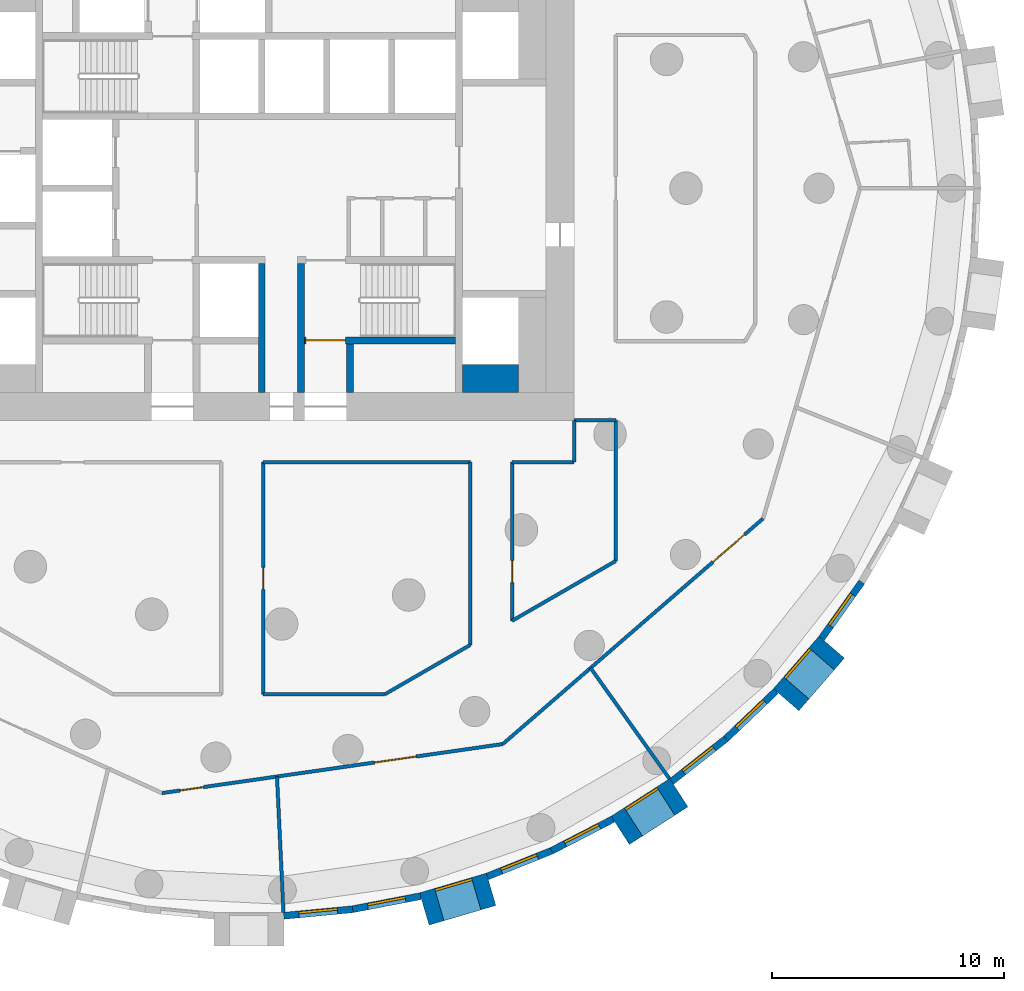
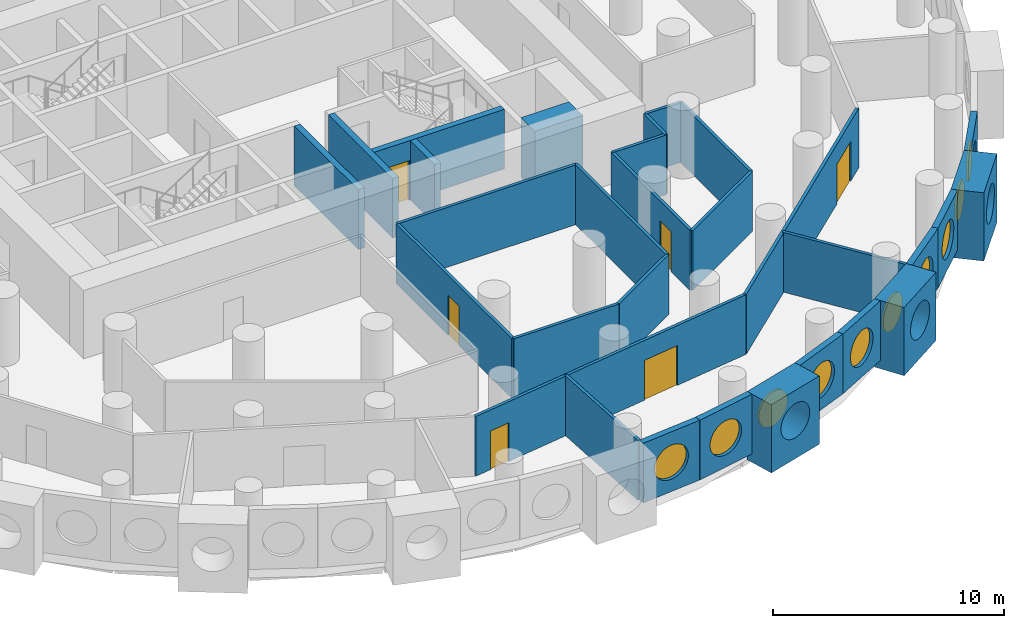
# One storey, part 5 of 12: 30 walls, 10 windows, 6 doors, 16 openings.
"""IFC4 building model written with IfcOpenShell, lengths in metres."""

from ifc_helpers import new_model, si_unit, direction, frame, frame_2d, origin, origin_2d, place, context, subcontext, project, spatial, rectangle, circle, extrude, material, layer, layer_set, type_object, element, fill, save


model = new_model("IFC4")

# Units and contexts
model_context = context("Model", 3, precision=1e-05, world=origin(), true_north=direction((0.0, 1.0)))
body_context = subcontext(model_context, "Body", "Model", "MODEL_VIEW")
ifc_project = project(units=[si_unit("LENGTHUNIT", "METRE"), si_unit("AREAUNIT", "SQUARE_METRE"), si_unit("VOLUMEUNIT", "CUBIC_METRE"), si_unit("PLANEANGLEUNIT", "RADIAN"), si_unit("MASSUNIT", "GRAM", prefix="KILO")], contexts=[model_context])

# Site, building, storey
site_placement = place(None, origin())
site = spatial("IfcSite", under=ifc_project, at=site_placement, CompositionType="ELEMENT")
building_placement = place(site_placement, origin())
building = spatial("IfcBuilding", under=site, at=building_placement, Name="Tracery Tower", CompositionType="ELEMENT")
storey_placement = place(building_placement, frame((0.0, 0.0, 107.39990234375)))
storey = spatial("IfcBuildingStorey", under=building, at=storey_placement, Name="L27", CompositionType="ELEMENT", Elevation=107.39990234375)

# Wall
ifc_material_1 = material(Name="Concrete C60/75", Category="concrete")
ifc_layer_1 = layer(ifc_material_1, 1.199951171875)
ifc_layer_set_1 = layer_set([ifc_layer_1], Name="Core strip wall 1200 C60")
wall_type_1 = type_object("IfcWallType", Name="Core strip wall 1200 C60", PredefinedType="SOLIDWALL", material=ifc_layer_set_1)
wall_1_placement = place(storey_placement, frame((9.199951171875, -8.199951171875, 0.0), z_axis=(0.0, 0.0, 1.0), x_axis=(1.0, 0.0, 0.0)))
element("IfcWall", 1, at=wall_1_placement, inside=storey, type_object=wall_type_1, Name="L27 wing corner +1 -8.2", PredefinedType="SOLIDWALL", context=body_context, shape_type="SweptSolid", body=[
    extrude(rectangle(XDim=2.400146484375, YDim=1.199951171875, at=frame_2d((1.2001953125, 0.0))), origin(), (0.0, 0.0, 1.0), 3.150146484375),
])

# Wall, opening, window
ifc_material_2 = material(Name="Precast concrete C50/60", Category="concrete")
ifc_layer_2 = layer(ifc_material_2, 1.449951171875)
ifc_layer_set_2 = layer_set([ifc_layer_2], Name="Deep-set bay unit 3000 x 3600, slab edge 450")
wall_type_2 = type_object("IfcWallType", Name="Deep-set bay unit 3000 x 3600, slab edge 450", PredefinedType="ELEMENTEDWALL", material=ifc_layer_set_2)
wall_2_placement = place(storey_placement, frame((7.552001953125, -31.043701171875, -0.449951171875), z_axis=(0.0, 0.0, 1.0), x_axis=(0.959489813418, 0.281743319258, 0.0)))
wall_2 = element("IfcWall", 2, at=wall_2_placement, inside=storey, type_object=wall_type_2, Name="Deep-set bay unit 53 at L27", PredefinedType="ELEMENTEDWALL", context=body_context, shape_type="SweptSolid", body=[
    extrude(rectangle(XDim=3.0, YDim=1.449951171875, at=frame_2d((1.5, 0.0))), origin(), (0.0, 0.0, 1.0), 3.60009765625),
])
opening_1_placement = place(wall_2_placement, frame((1.5, 0.0, 2.0)))
opening_1 = element("IfcOpeningElement", 3, at=opening_1_placement, cuts=wall_2, Name="Opening WN1", PredefinedType="OPENING", context=body_context, shape_type="SweptSolid", body=[
    extrude(circle(Radius=0.9000244140625, at=origin_2d()), frame((0.0, 0.73486328125, 0.0), z_axis=(0.0, -1.0, 0.0), x_axis=(1.0, 0.0, 0.0)), (0.0, 0.0, 1.0), 1.469970703125),
])
ifc_material_3 = material(Name="Aluminium frame with tinted double glazing", Category="aluminium")
window_type = type_object("IfcWindowType", Name="Round window 1800", PartitioningType="SINGLE_PANEL", PredefinedType="WINDOW", material=ifc_material_3)
window_1_placement = place(opening_1_placement, origin())
window_1 = element("IfcWindow", 4, at=window_1_placement, inside=storey, type_object=window_type, Name="Round window 53 at L27", OverallHeight=1.800048828125, OverallWidth=1.800048828125, PartitioningType="SINGLE_PANEL", PredefinedType="WINDOW", context=body_context, shape_type="SweptSolid", body=[
    extrude(circle(Radius=0.9000244140625, at=origin_2d()), frame((0.0, 0.69482421875, 0.0), z_axis=(0.0, -1.0, 0.0), x_axis=(1.0, 0.0, 0.0)), (0.0, 0.0, 1.0), 0.10009765625),
])
fill(opening_1, window_1)

wall_3_placement = place(storey_placement, frame((15.9921875, -27.65869140625, -0.449951171875), z_axis=(0.0, 0.0, 1.0), x_axis=(0.841223422347, 0.540687667415, 0.0)))
wall_3 = element("IfcWall", 5, at=wall_3_placement, inside=storey, type_object=wall_type_2, Name="Deep-set bay unit 56 at L27", PredefinedType="ELEMENTEDWALL", context=body_context, shape_type="SweptSolid", body=[
    extrude(rectangle(XDim=3.0, YDim=1.449951171875, at=frame_2d((1.5, 0.0))), origin(), (0.0, 0.0, 1.0), 3.60009765625),
])
opening_2_placement = place(wall_3_placement, frame((1.5, 0.0, 2.0)))
opening_2 = element("IfcOpeningElement", 6, at=opening_2_placement, cuts=wall_3, Name="Opening WN1", PredefinedType="OPENING", context=body_context, shape_type="SweptSolid", body=[
    extrude(circle(Radius=0.9000244140625, at=origin_2d()), frame((0.0, 0.73486328125, 0.0), z_axis=(0.0, -1.0, 0.0), x_axis=(1.0, 0.0, 0.0)), (0.0, 0.0, 1.0), 1.469970703125),
])
window_2_placement = place(opening_2_placement, origin())
window_2 = element("IfcWindow", 7, at=window_2_placement, inside=storey, type_object=window_type, Name="Round window 56 at L27", OverallHeight=1.800048828125, OverallWidth=1.800048828125, PartitioningType="SINGLE_PANEL", PredefinedType="WINDOW", context=body_context, shape_type="SweptSolid", body=[
    extrude(circle(Radius=0.9000244140625, at=origin_2d()), frame((0.0, 0.69482421875, 0.0), z_axis=(0.0, -1.0, 0.0), x_axis=(1.0, 0.0, 0.0)), (0.0, 0.0, 1.0), 0.10009765625),
])
fill(opening_2, window_2)

wall_4_placement = place(storey_placement, frame((23.13671875, -22.03271484375, -0.449951171875), z_axis=(0.0, 0.0, 1.0), x_axis=(0.654890259022, 0.75572398972, 0.0)))
wall_4 = element("IfcWall", 8, at=wall_4_placement, inside=storey, type_object=wall_type_2, Name="Deep-set bay unit 59 at L27", PredefinedType="ELEMENTEDWALL", context=body_context, shape_type="SweptSolid", body=[
    extrude(rectangle(XDim=3.0, YDim=1.449951171875, at=frame_2d((1.5, 0.0))), origin(), (0.0, 0.0, 1.0), 3.60009765625),
])
opening_3_placement = place(wall_4_placement, frame((1.5, 0.0, 2.0)))
opening_3 = element("IfcOpeningElement", 9, at=opening_3_placement, cuts=wall_4, Name="Opening WN1", PredefinedType="OPENING", context=body_context, shape_type="SweptSolid", body=[
    extrude(circle(Radius=0.9000244140625, at=origin_2d()), frame((0.0, 0.73486328125, 0.0), z_axis=(0.0, -1.0, 0.0), x_axis=(1.0, 0.0, 0.0)), (0.0, 0.0, 1.0), 1.469970703125),
])
window_3_placement = place(opening_3_placement, origin())
window_3 = element("IfcWindow", 10, at=window_3_placement, inside=storey, type_object=window_type, Name="Round window 59 at L27", OverallHeight=1.800048828125, OverallWidth=1.800048828125, PartitioningType="SINGLE_PANEL", PredefinedType="WINDOW", context=body_context, shape_type="SweptSolid", body=[
    extrude(circle(Radius=0.9000244140625, at=origin_2d()), frame((0.0, 0.69482421875, 0.0), z_axis=(0.0, -1.0, 0.0), x_axis=(1.0, 0.0, 0.0)), (0.0, 0.0, 1.0), 0.10009765625),
])
fill(opening_3, window_3)

ifc_material_4 = material(Name="Precast concrete C50/60", Category="concrete")
ifc_layer_3 = layer(ifc_material_4, 0.300048828125)
ifc_layer_set_3 = layer_set([ifc_layer_3], Name="Facade panel 3000 x 3150")
wall_type_3 = type_object("IfcWallType", Name="Facade panel 3000 x 3150", PredefinedType="SOLIDWALL", material=ifc_layer_set_3)
wall_5_placement = place(storey_placement, frame((1.498779296875, -31.33837890625, 0.0), z_axis=(0.0, 0.0, 1.0), x_axis=(0.995473351551, 0.095041077185, 0.0)))
wall_5 = element("IfcWall", 11, at=wall_5_placement, inside=storey, type_object=wall_type_3, Name="Facade panel 51 at L27", PredefinedType="SOLIDWALL", context=body_context, shape_type="SweptSolid", body=[
    extrude(rectangle(XDim=2.979736328125, YDim=0.300048828125, at=frame_2d((1.48974609375, 0.0))), origin(), (0.0, 0.0, 1.0), 3.150146484375),
])
opening_4_placement = place(wall_5_placement, frame((1.48974609375, 0.0, 1.5498046875)))
opening_4 = element("IfcOpeningElement", 12, at=opening_4_placement, cuts=wall_5, Name="Opening WN1", PredefinedType="OPENING", context=body_context, shape_type="SweptSolid", body=[
    extrude(circle(Radius=0.9000244140625, at=origin_2d()), frame((0.0, 0.159912109375, 0.0), z_axis=(0.0, -1.0, 0.0), x_axis=(1.0, 0.0, 0.0)), (0.0, 0.0, 1.0), 0.320068359375),
])
window_4_placement = place(opening_4_placement, origin())
window_4 = element("IfcWindow", 13, at=window_4_placement, inside=storey, type_object=window_type, Name="Round window 51 at L27", OverallHeight=1.800048828125, OverallWidth=1.800048828125, PartitioningType="SINGLE_PANEL", PredefinedType="WINDOW", context=body_context, shape_type="SweptSolid", body=[
    extrude(circle(Radius=0.9000244140625, at=origin_2d()), frame((0.0, 0.1201171875, 0.0), z_axis=(0.0, -1.0, 0.0), x_axis=(1.0, 0.0, 0.0)), (0.0, 0.0, 1.0), 0.10009765625),
])
fill(opening_4, window_4)

wall_6_placement = place(storey_placement, frame((4.465087890625, -31.05517578125, 0.0), z_axis=(0.0, 0.0, 1.0), x_axis=(0.981924535406, 0.189272836848, 0.0)))
wall_6 = element("IfcWall", 14, at=wall_6_placement, inside=storey, type_object=wall_type_3, Name="Facade panel 52 at L27", PredefinedType="SOLIDWALL", context=body_context, shape_type="SweptSolid", body=[
    extrude(rectangle(XDim=2.979736328125, YDim=0.300048828125, at=frame_2d((1.48974609375, 0.0))), origin(), (0.0, 0.0, 1.0), 3.150146484375),
])
opening_5_placement = place(wall_6_placement, frame((1.48974609375, 0.0, 1.5498046875)))
opening_5 = element("IfcOpeningElement", 15, at=opening_5_placement, cuts=wall_6, Name="Opening WN1", PredefinedType="OPENING", context=body_context, shape_type="SweptSolid", body=[
    extrude(circle(Radius=0.9000244140625, at=origin_2d()), frame((0.0, 0.159912109375, 0.0), z_axis=(0.0, -1.0, 0.0), x_axis=(1.0, 0.0, 0.0)), (0.0, 0.0, 1.0), 0.320068359375),
])
window_5_placement = place(opening_5_placement, origin())
window_5 = element("IfcWindow", 16, at=window_5_placement, inside=storey, type_object=window_type, Name="Round window 52 at L27", OverallHeight=1.800048828125, OverallWidth=1.800048828125, PartitioningType="SINGLE_PANEL", PredefinedType="WINDOW", context=body_context, shape_type="SweptSolid", body=[
    extrude(circle(Radius=0.9000244140625, at=origin_2d()), frame((0.0, 0.1201171875, 0.0), z_axis=(0.0, -1.0, 0.0), x_axis=(1.0, 0.0, 0.0)), (0.0, 0.0, 1.0), 0.10009765625),
])
fill(opening_5, window_5)

wall_7_placement = place(storey_placement, frame((10.26708984375, -29.646484375, 0.0), z_axis=(0.0, 0.0, 1.0), x_axis=(0.928403213937, 0.371574316054, 0.0)))
wall_7 = element("IfcWall", 17, at=wall_7_placement, inside=storey, type_object=wall_type_3, Name="Facade panel 54 at L27", PredefinedType="SOLIDWALL", context=body_context, shape_type="SweptSolid", body=[
    extrude(rectangle(XDim=2.979736328125, YDim=0.300048828125, at=frame_2d((1.48974609375, 0.0))), origin(), (0.0, 0.0, 1.0), 3.150146484375),
])
opening_6_placement = place(wall_7_placement, frame((1.48974609375, 0.0, 1.5498046875)))
opening_6 = element("IfcOpeningElement", 18, at=opening_6_placement, cuts=wall_7, Name="Opening WN1", PredefinedType="OPENING", context=body_context, shape_type="SweptSolid", body=[
    extrude(circle(Radius=0.9000244140625, at=origin_2d()), frame((0.0, 0.159912109375, 0.0), z_axis=(0.0, -1.0, 0.0), x_axis=(1.0, 0.0, 0.0)), (0.0, 0.0, 1.0), 0.320068359375),
])
window_6_placement = place(opening_6_placement, origin())
window_6 = element("IfcWindow", 19, at=window_6_placement, inside=storey, type_object=window_type, Name="Round window 54 at L27", OverallHeight=1.800048828125, OverallWidth=1.800048828125, PartitioningType="SINGLE_PANEL", PredefinedType="WINDOW", context=body_context, shape_type="SweptSolid", body=[
    extrude(circle(Radius=0.9000244140625, at=origin_2d()), frame((0.0, 0.1201171875, 0.0), z_axis=(0.0, -1.0, 0.0), x_axis=(1.0, 0.0, 0.0)), (0.0, 0.0, 1.0), 0.10009765625),
])
fill(opening_6, window_6)

wall_8_placement = place(storey_placement, frame((13.033447265625, -28.539306640625, 0.0), z_axis=(0.0, 0.0, 1.0), x_axis=(0.888819853856, 0.458256770153, 0.0)))
wall_8 = element("IfcWall", 20, at=wall_8_placement, inside=storey, type_object=wall_type_3, Name="Facade panel 55 at L27", PredefinedType="SOLIDWALL", context=body_context, shape_type="SweptSolid", body=[
    extrude(rectangle(XDim=2.979736328125, YDim=0.300048828125, at=frame_2d((1.48974609375, 0.0))), origin(), (0.0, 0.0, 1.0), 3.150146484375),
])
opening_7_placement = place(wall_8_placement, frame((1.48974609375, 0.0, 1.5498046875)))
opening_7 = element("IfcOpeningElement", 21, at=opening_7_placement, cuts=wall_8, Name="Opening WN1", PredefinedType="OPENING", context=body_context, shape_type="SweptSolid", body=[
    extrude(circle(Radius=0.9000244140625, at=origin_2d()), frame((0.0, 0.159912109375, 0.0), z_axis=(0.0, -1.0, 0.0), x_axis=(1.0, 0.0, 0.0)), (0.0, 0.0, 1.0), 0.320068359375),
])
window_7_placement = place(opening_7_placement, origin())
window_7 = element("IfcWindow", 22, at=window_7_placement, inside=storey, type_object=window_type, Name="Round window 55 at L27", OverallHeight=1.800048828125, OverallWidth=1.800048828125, PartitioningType="SINGLE_PANEL", PredefinedType="WINDOW", context=body_context, shape_type="SweptSolid", body=[
    extrude(circle(Radius=0.9000244140625, at=origin_2d()), frame((0.0, 0.1201171875, 0.0), z_axis=(0.0, -1.0, 0.0), x_axis=(1.0, 0.0, 0.0)), (0.0, 0.0, 1.0), 0.10009765625),
])
fill(opening_7, window_7)

wall_9_placement = place(storey_placement, frame((18.20361328125, -25.55322265625, 0.0), z_axis=(0.0, 0.0, 1.0), x_axis=(0.786045331304, 0.618168858108, 0.0)))
wall_9 = element("IfcWall", 23, at=wall_9_placement, inside=storey, type_object=wall_type_3, Name="Facade panel 57 at L27", PredefinedType="SOLIDWALL", context=body_context, shape_type="SweptSolid", body=[
    extrude(rectangle(XDim=2.979736328125, YDim=0.300048828125, at=frame_2d((1.48974609375, 0.0))), origin(), (0.0, 0.0, 1.0), 3.150146484375),
])
opening_8_placement = place(wall_9_placement, frame((1.48974609375, 0.0, 1.5498046875)))
opening_8 = element("IfcOpeningElement", 24, at=opening_8_placement, cuts=wall_9, Name="Opening WN1", PredefinedType="OPENING", context=body_context, shape_type="SweptSolid", body=[
    extrude(circle(Radius=0.9000244140625, at=origin_2d()), frame((0.0, 0.159912109375, 0.0), z_axis=(0.0, -1.0, 0.0), x_axis=(1.0, 0.0, 0.0)), (0.0, 0.0, 1.0), 0.320068359375),
])
window_8_placement = place(opening_8_placement, origin())
window_8 = element("IfcWindow", 25, at=window_8_placement, inside=storey, type_object=window_type, Name="Round window 57 at L27", OverallHeight=1.800048828125, OverallWidth=1.800048828125, PartitioningType="SINGLE_PANEL", PredefinedType="WINDOW", context=body_context, shape_type="SweptSolid", body=[
    extrude(circle(Radius=0.9000244140625, at=origin_2d()), frame((0.0, 0.1201171875, 0.0), z_axis=(0.0, -1.0, 0.0), x_axis=(1.0, 0.0, 0.0)), (0.0, 0.0, 1.0), 0.10009765625),
])
fill(opening_8, window_8)

wall_10_placement = place(storey_placement, frame((20.5458984375, -23.711181640625, 0.0), z_axis=(0.0, 0.0, 1.0), x_axis=(0.723744206617, 0.690068346896, 0.0)))
wall_10 = element("IfcWall", 26, at=wall_10_placement, inside=storey, type_object=wall_type_3, Name="Facade panel 58 at L27", PredefinedType="SOLIDWALL", context=body_context, shape_type="SweptSolid", body=[
    extrude(rectangle(XDim=2.979736328125, YDim=0.300048828125, at=frame_2d((1.48974609375, 0.0))), origin(), (0.0, 0.0, 1.0), 3.150146484375),
])
opening_9_placement = place(wall_10_placement, frame((1.48974609375, 0.0, 1.5498046875)))
opening_9 = element("IfcOpeningElement", 27, at=opening_9_placement, cuts=wall_10, Name="Opening WN1", PredefinedType="OPENING", context=body_context, shape_type="SweptSolid", body=[
    extrude(circle(Radius=0.9000244140625, at=origin_2d()), frame((0.0, 0.159912109375, 0.0), z_axis=(0.0, -1.0, 0.0), x_axis=(1.0, 0.0, 0.0)), (0.0, 0.0, 1.0), 0.320068359375),
])
window_9_placement = place(opening_9_placement, origin())
window_9 = element("IfcWindow", 28, at=window_9_placement, inside=storey, type_object=window_type, Name="Round window 58 at L27", OverallHeight=1.800048828125, OverallWidth=1.800048828125, PartitioningType="SINGLE_PANEL", PredefinedType="WINDOW", context=body_context, shape_type="SweptSolid", body=[
    extrude(circle(Radius=0.9000244140625, at=origin_2d()), frame((0.0, 0.1201171875, 0.0), z_axis=(0.0, -1.0, 0.0), x_axis=(1.0, 0.0, 0.0)), (0.0, 0.0, 1.0), 0.10009765625),
])
fill(opening_9, window_9)

wall_11_placement = place(storey_placement, frame((24.66552734375, -19.389404296875, 0.0), z_axis=(0.0, 0.0, 1.0), x_axis=(0.580059407678, 0.81457417315, 0.0)))
wall_11 = element("IfcWall", 29, at=wall_11_placement, inside=storey, type_object=wall_type_3, Name="Facade panel 60 at L27", PredefinedType="SOLIDWALL", context=body_context, shape_type="SweptSolid", body=[
    extrude(rectangle(XDim=2.9794921875, YDim=0.300048828125, at=frame_2d((1.48974609375, 0.0))), origin(), (0.0, 0.0, 1.0), 3.150146484375),
])
opening_10_placement = place(wall_11_placement, frame((1.48974609375, 0.0, 1.5498046875)))
opening_10 = element("IfcOpeningElement", 30, at=opening_10_placement, cuts=wall_11, Name="Opening WN1", PredefinedType="OPENING", context=body_context, shape_type="SweptSolid", body=[
    extrude(circle(Radius=0.9000244140625, at=origin_2d()), frame((0.0, 0.159912109375, 0.0), z_axis=(0.0, -1.0, 0.0), x_axis=(1.0, 0.0, 0.0)), (0.0, 0.0, 1.0), 0.320068359375),
])
window_10_placement = place(opening_10_placement, origin())
window_10 = element("IfcWindow", 31, at=window_10_placement, inside=storey, type_object=window_type, Name="Round window 60 at L27", OverallHeight=1.800048828125, OverallWidth=1.800048828125, PartitioningType="SINGLE_PANEL", PredefinedType="WINDOW", context=body_context, shape_type="SweptSolid", body=[
    extrude(circle(Radius=0.9000244140625, at=origin_2d()), frame((0.0, 0.1201171875, 0.0), z_axis=(0.0, -1.0, 0.0), x_axis=(1.0, 0.0, 0.0)), (0.0, 0.0, 1.0), 0.10009765625),
])
fill(opening_10, window_10)

# Walls
ifc_material_5 = material(Name="Plasterboard on steel studs", Category="steel")
ifc_layer_4 = layer(ifc_material_5, 0.14990234375)
ifc_layer_set_4 = layer_set([ifc_layer_4], Name="Partition 150 acoustic unit wall")
wall_type_4 = type_object("IfcWallType", Name="Partition 150 acoustic unit wall", PredefinedType="PARTITIONING", material=ifc_layer_set_4)
wall_12_placement = place(storey_placement, frame((1.20703125, -25.339111328125, 0.0), z_axis=(0.0, 0.0, 1.0), x_axis=(0.047648334785, -0.998864173045, 0.0)))
element("IfcWall", 32, at=wall_12_placement, inside=storey, type_object=wall_type_4, Name="Unit wall RA8-114", PredefinedType="PARTITIONING", context=body_context, shape_type="SweptSolid", body=[
    extrude(rectangle(XDim=5.8564453125, YDim=0.14990234375, at=frame_2d((2.92822265625, 0.0))), origin(), (0.0, 0.0, 1.0), 3.150146484375),
])
wall_13_placement = place(storey_placement, frame((14.715087890625, -20.6640625, 0.0), z_axis=(0.0, 0.0, 1.0), x_axis=(0.580007254017, -0.814611309329, 0.0)))
element("IfcWall", 33, at=wall_13_placement, inside=storey, type_object=wall_type_4, Name="Unit wall RA8-115", PredefinedType="PARTITIONING", context=body_context, shape_type="SweptSolid", body=[
    extrude(rectangle(XDim=5.856689453125, YDim=0.14990234375, at=frame_2d((2.92822265625, 0.0))), origin(), (0.0, 0.0, 1.0), 3.150146484375),
])
ifc_material_6 = material(Name="Plasterboard on steel studs", Category="steel")
ifc_layer_5 = layer(ifc_material_6, 0.14990234375)
ifc_layer_set_5 = layer_set([ifc_layer_5], Name="Partition 150 corridor wall")
wall_type_5 = type_object("IfcWallType", Name="Partition 150 corridor wall", PredefinedType="PARTITIONING", material=ifc_layer_set_5)
wall_14_placement = place(storey_placement, frame((0.60400390625, -11.800048828125, 0.0), z_axis=(0.0, 0.0, 1.0), x_axis=(1.0, 0.0, 0.0)))
element("IfcWall", 34, at=wall_14_placement, inside=storey, type_object=wall_type_5, Name="Corridor wall RA8-007", PredefinedType="PARTITIONING", context=body_context, shape_type="SweptSolid", body=[
    extrude(rectangle(XDim=8.93603515625, YDim=0.14990234375, at=frame_2d((4.468017578125, 0.0))), origin(), (0.0, 0.0, 1.0), 3.150146484375),
])
wall_15_placement = place(storey_placement, frame((14.0, -11.800048828125, 0.0), z_axis=(0.0, 0.0, 1.0), x_axis=(0.0, 1.0, 0.0)))
element("IfcWall", 35, at=wall_15_placement, inside=storey, type_object=wall_type_5, Name="Corridor wall RA8-008", PredefinedType="PARTITIONING", context=body_context, shape_type="SweptSolid", body=[
    extrude(rectangle(XDim=1.800048828125, YDim=0.14990234375, at=frame_2d((0.89990234375, 0.0))), origin(), (0.0, 0.0, 1.0), 3.150146484375),
])
wall_16_placement = place(storey_placement, frame((11.33203125, -11.800048828125, 0.0), z_axis=(0.0, 0.0, 1.0), x_axis=(1.0, 0.0, 0.0)))
element("IfcWall", 36, at=wall_16_placement, inside=storey, type_object=wall_type_5, Name="Corridor wall RA8-009", PredefinedType="PARTITIONING", context=body_context, shape_type="SweptSolid", body=[
    extrude(rectangle(XDim=2.66796875, YDim=0.14990234375, at=frame_2d((1.333984375, 0.0))), origin(), (0.0, 0.0, 1.0), 3.150146484375),
])
wall_17_placement = place(storey_placement, frame((14.0, -10.0, 0.0), z_axis=(0.0, 0.0, 1.0), x_axis=(1.0, 0.0, 0.0)))
element("IfcWall", 37, at=wall_17_placement, inside=storey, type_object=wall_type_5, Name="Corridor wall RA8-011", PredefinedType="PARTITIONING", context=body_context, shape_type="SweptSolid", body=[
    extrude(rectangle(XDim=1.800048828125, YDim=0.14990234375, at=frame_2d((0.89990234375, 0.0))), origin(), (0.0, 0.0, 1.0), 3.150146484375),
])
wall_18_placement = place(storey_placement, frame((15.800048828125, -16.052978515625, 0.0), z_axis=(0.0, 0.0, 1.0), x_axis=(0.0, 1.0, 0.0)))
element("IfcWall", 38, at=wall_18_placement, inside=storey, type_object=wall_type_5, Name="Corridor wall RA8-015", PredefinedType="PARTITIONING", context=body_context, shape_type="SweptSolid", body=[
    extrude(rectangle(XDim=6.056884765625, YDim=0.14990234375, at=frame_2d((3.0283203125, 0.0))), origin(), (0.0, 0.0, 1.0), 3.150146484375),
])

# Wall, opening, door
wall_19_placement = place(storey_placement, frame((10.93310546875, -23.940185546875, 0.0), z_axis=(0.0, 0.0, 1.0), x_axis=(0.755770011705, 0.654837147242, 0.0)))
wall_19 = element("IfcWall", 39, at=wall_19_placement, inside=storey, type_object=wall_type_5, Name="Corridor wall RA8-024", PredefinedType="PARTITIONING", context=body_context, shape_type="SweptSolid", body=[
    extrude(rectangle(XDim=14.829833984375, YDim=0.14990234375, at=frame_2d((7.4150390625, 0.0))), origin(), (0.0, 0.0, 1.0), 3.150146484375),
])
opening_11_placement = place(wall_19_placement, frame((11.975830078125, 0.0, 0.0)))
opening_11 = element("IfcOpeningElement", 40, at=opening_11_placement, cuts=wall_19, Name="Opening RA8-48", PredefinedType="OPENING", context=body_context, shape_type="SweptSolid", body=[
    extrude(rectangle(XDim=1.800048828125, YDim=2.10009765625, at=frame_2d((0.89990234375, 1.050048828125))), frame((0.0, 0.074951171875, 0.0), z_axis=(0.0, -1.0, 0.0), x_axis=(1.0, 0.0, 0.0)), (0.0, 0.0, 1.0), 0.14990234375),
])
ifc_material_7 = material(Name="Timber door leaf", Category="wood")
door_type_1 = type_object("IfcDoorType", Name="Door double lounge 1800", OperationType="NOTDEFINED", PredefinedType="DOOR", material=ifc_material_7)
door_1_placement = place(opening_11_placement, origin())
door_1 = element("IfcDoor", 41, at=door_1_placement, inside=storey, type_object=door_type_1, Name="Double lounge door RA8-48", OperationType="DOUBLE_DOOR_SINGLE_SWING", OverallHeight=2.10009765625, OverallWidth=1.800048828125, PredefinedType="DOOR", context=body_context, shape_type="SweptSolid", body=[
    extrude(rectangle(XDim=1.800048828125, YDim=2.10009765625, at=frame_2d((0.89990234375, 1.050048828125))), frame((0.0, 0.02490234375, 0.0), z_axis=(0.0, -1.0, 0.0), x_axis=(1.0, 0.0, 0.0)), (0.0, 0.0, 1.0), 0.050048828125),
])
fill(opening_11, door_1)

wall_20_placement = place(storey_placement, frame((0.60791015625, -21.802001953125, 0.0), z_axis=(0.0, 0.0, 1.0), x_axis=(0.0, 1.0, 0.0)))
wall_20 = element("IfcWall", 42, at=wall_20_placement, inside=storey, type_object=wall_type_5, Name="Corridor wall RA8-051", PredefinedType="PARTITIONING", context=body_context, shape_type="SweptSolid", body=[
    extrude(rectangle(XDim=10.001953125, YDim=0.14990234375, at=frame_2d((5.0009765625, 0.0))), origin(), (0.0, 0.0, 1.0), 3.150146484375),
])
opening_12_placement = place(wall_20_placement, frame((4.52587890625, 0.0, 0.0)))
opening_12 = element("IfcOpeningElement", 43, at=opening_12_placement, cuts=wall_20, Name="Opening RA8-05", PredefinedType="OPENING", context=body_context, shape_type="SweptSolid", body=[
    extrude(rectangle(XDim=0.949951171875, YDim=2.10009765625, at=frame_2d((0.47509765625, 1.050048828125))), frame((0.0, 0.074951171875, 0.0), z_axis=(0.0, -1.0, 0.0), x_axis=(1.0, 0.0, 0.0)), (0.0, 0.0, 1.0), 0.14990234375),
])
ifc_material_8 = material(Name="Timber door leaf", Category="wood")
door_type_2 = type_object("IfcDoorType", Name="Door store 950", OperationType="NOTDEFINED", PredefinedType="DOOR", material=ifc_material_8)
door_2_placement = place(opening_12_placement, origin())
door_2 = element("IfcDoor", 44, at=door_2_placement, inside=storey, type_object=door_type_2, Name="Store door RA8-05", OperationType="SINGLE_SWING_RIGHT", OverallHeight=2.10009765625, OverallWidth=0.949951171875, PredefinedType="DOOR", context=body_context, shape_type="SweptSolid", body=[
    extrude(rectangle(XDim=0.949951171875, YDim=2.10009765625, at=frame_2d((0.47509765625, 1.050048828125))), frame((0.0, 0.02490234375, 0.0), z_axis=(0.0, -1.0, 0.0), x_axis=(1.0, 0.0, 0.0)), (0.0, 0.0, 1.0), 0.050048828125),
])
fill(opening_12, door_2)

# Walls
wall_21_placement = place(storey_placement, frame((0.60791015625, -21.802001953125, 0.0), z_axis=(0.0, 0.0, 1.0), x_axis=(1.0, 0.0, 0.0)))
element("IfcWall", 45, at=wall_21_placement, inside=storey, type_object=wall_type_5, Name="Corridor wall RA8-052", PredefinedType="PARTITIONING", context=body_context, shape_type="SweptSolid", body=[
    extrude(rectangle(XDim=5.234130859375, YDim=0.14990234375, at=frame_2d((2.6171875, 0.0))), origin(), (0.0, 0.0, 1.0), 3.150146484375),
])
wall_22_placement = place(storey_placement, frame((5.842041015625, -21.802001953125, 0.0), z_axis=(0.0, 0.0, 1.0), x_axis=(0.865983505205, 0.500072563448, 0.0)))
element("IfcWall", 46, at=wall_22_placement, inside=storey, type_object=wall_type_5, Name="Corridor wall RA8-053", PredefinedType="PARTITIONING", context=body_context, shape_type="SweptSolid", body=[
    extrude(rectangle(XDim=4.265380859375, YDim=0.14990234375, at=frame_2d((2.1328125, 0.0))), origin(), (0.0, 0.0, 1.0), 3.150146484375),
])
wall_23_placement = place(storey_placement, frame((9.535888671875, -19.6689453125, 0.0), z_axis=(0.0, 0.0, 1.0), x_axis=(0.0, 1.0, 0.0)))
element("IfcWall", 47, at=wall_23_placement, inside=storey, type_object=wall_type_5, Name="Corridor wall RA8-054", PredefinedType="PARTITIONING", context=body_context, shape_type="SweptSolid", body=[
    extrude(rectangle(XDim=7.868896484375, YDim=0.14990234375, at=frame_2d((3.9345703125, 0.0))), origin(), (0.0, 0.0, 1.0), 3.150146484375),
])

# Wall, opening, door
wall_24_placement = place(storey_placement, frame((11.3359375, -18.6298828125, 0.0), z_axis=(0.0, 0.0, 1.0), x_axis=(0.0, 1.0, 0.0)))
wall_24 = element("IfcWall", 48, at=wall_24_placement, inside=storey, type_object=wall_type_5, Name="Corridor wall RA8-055", PredefinedType="PARTITIONING", context=body_context, shape_type="SweptSolid", body=[
    extrude(rectangle(XDim=6.829833984375, YDim=0.14990234375, at=frame_2d((3.4150390625, 0.0))), origin(), (0.0, 0.0, 1.0), 3.150146484375),
])
opening_13_placement = place(wall_24_placement, frame((1.639892578125, 0.0, 0.0)))
opening_13 = element("IfcOpeningElement", 49, at=opening_13_placement, cuts=wall_24, Name="Opening RA8-06", PredefinedType="OPENING", context=body_context, shape_type="SweptSolid", body=[
    extrude(rectangle(XDim=0.949951171875, YDim=2.10009765625, at=frame_2d((0.47509765625, 1.050048828125))), frame((0.0, 0.074951171875, 0.0), z_axis=(0.0, -1.0, 0.0), x_axis=(1.0, 0.0, 0.0)), (0.0, 0.0, 1.0), 0.14990234375),
])
door_3_placement = place(opening_13_placement, origin())
door_3 = element("IfcDoor", 50, at=door_3_placement, inside=storey, type_object=door_type_2, Name="Store door RA8-06", OperationType="SINGLE_SWING_RIGHT", OverallHeight=2.10009765625, OverallWidth=0.949951171875, PredefinedType="DOOR", context=body_context, shape_type="SweptSolid", body=[
    extrude(rectangle(XDim=0.949951171875, YDim=2.10009765625, at=frame_2d((0.47509765625, 1.050048828125))), frame((0.0, 0.02490234375, 0.0), z_axis=(0.0, -1.0, 0.0), x_axis=(1.0, 0.0, 0.0)), (0.0, 0.0, 1.0), 0.050048828125),
])
fill(opening_13, door_3)

# Wall
wall_25_placement = place(storey_placement, frame((11.3359375, -18.6298828125, 0.0), z_axis=(0.0, 0.0, 1.0), x_axis=(0.866063337164, 0.499934291702, 0.0)))
element("IfcWall", 51, at=wall_25_placement, inside=storey, type_object=wall_type_5, Name="Corridor wall RA8-056", PredefinedType="PARTITIONING", context=body_context, shape_type="SweptSolid", body=[
    extrude(rectangle(XDim=5.154541015625, YDim=0.14990234375, at=frame_2d((2.5771484375, 0.0))), origin(), (0.0, 0.0, 1.0), 3.150146484375),
])

# Wall, openings, doors
wall_26_placement = place(storey_placement, frame((-3.74609375, -26.051025390625, 0.0), z_axis=(0.0, 0.0, 1.0), x_axis=(0.9898137179, 0.142368549395, 0.0)))
wall_26 = element("IfcWall", 52, at=wall_26_placement, inside=storey, type_object=wall_type_5, Name="Corridor wall RA8-058", PredefinedType="PARTITIONING", context=body_context, shape_type="SweptSolid", body=[
    extrude(rectangle(XDim=14.830078125, YDim=0.14990234375, at=frame_2d((7.4150390625, 0.0))), origin(), (0.0, 0.0, 1.0), 3.150146484375),
])
opening_14_placement = place(wall_26_placement, frame((0.803955078125, 0.0, 0.0)))
opening_14 = element("IfcOpeningElement", 53, at=opening_14_placement, cuts=wall_26, Name="Opening RA8-46", PredefinedType="OPENING", context=body_context, shape_type="SweptSolid", body=[
    extrude(rectangle(XDim=1.0, YDim=2.0400390625, at=frame_2d((0.5, 1.02001953125))), frame((0.0, 0.074951171875, 0.0), z_axis=(0.0, -1.0, 0.0), x_axis=(1.0, 0.0, 0.0)), (0.0, 0.0, 1.0), 0.14990234375),
])
opening_15_placement = place(wall_26_placement, frame((9.264892578125, 0.0, 0.0)))
opening_15 = element("IfcOpeningElement", 54, at=opening_15_placement, cuts=wall_26, Name="Opening RA8-47", PredefinedType="OPENING", context=body_context, shape_type="SweptSolid", body=[
    extrude(rectangle(XDim=1.800048828125, YDim=2.10009765625, at=frame_2d((0.89990234375, 1.050048828125))), frame((0.0, 0.074951171875, 0.0), z_axis=(0.0, -1.0, 0.0), x_axis=(1.0, 0.0, 0.0)), (0.0, 0.0, 1.0), 0.14990234375),
])
ifc_material_9 = material(Name="Timber door leaf", Category="wood")
door_type_3 = type_object("IfcDoorType", Name="Door communal room 1000", OperationType="NOTDEFINED", PredefinedType="DOOR", material=ifc_material_9)
door_4_placement = place(opening_14_placement, origin())
door_4 = element("IfcDoor", 55, at=door_4_placement, inside=storey, type_object=door_type_3, Name="Communal room door RA8-46", OperationType="SINGLE_SWING_RIGHT", OverallHeight=2.0400390625, OverallWidth=1.0, PredefinedType="DOOR", context=body_context, shape_type="SweptSolid", body=[
    extrude(rectangle(XDim=1.0, YDim=2.0400390625, at=frame_2d((0.5, 1.02001953125))), frame((0.0, 0.02490234375, 0.0), z_axis=(0.0, -1.0, 0.0), x_axis=(1.0, 0.0, 0.0)), (0.0, 0.0, 1.0), 0.050048828125),
])
fill(opening_14, door_4)
door_5_placement = place(opening_15_placement, origin())
door_5 = element("IfcDoor", 56, at=door_5_placement, inside=storey, type_object=door_type_1, Name="Double lounge door RA8-47", OperationType="DOUBLE_DOOR_SINGLE_SWING", OverallHeight=2.10009765625, OverallWidth=1.800048828125, PredefinedType="DOOR", context=body_context, shape_type="SweptSolid", body=[
    extrude(rectangle(XDim=1.800048828125, YDim=2.10009765625, at=frame_2d((0.89990234375, 1.050048828125))), frame((0.0, 0.02490234375, 0.0), z_axis=(0.0, -1.0, 0.0), x_axis=(1.0, 0.0, 0.0)), (0.0, 0.0, 1.0), 0.050048828125),
])
fill(opening_15, door_5)

# Walls
ifc_material_10 = material(Name="Concrete C60/75", Category="concrete")
ifc_layer_6 = layer(ifc_material_10, 0.300048828125)
ifc_layer_set_6 = layer_set([ifc_layer_6], Name="Shaft wall 300 C60")
wall_type_6 = type_object("IfcWallType", Name="Shaft wall 300 C60", PredefinedType="SOLIDWALL", material=ifc_layer_set_6)
wall_27_placement = place(storey_placement, frame((0.550048828125, -8.800048828125, 0.0), z_axis=(0.0, 0.0, 1.0), x_axis=(0.0, 1.0, 0.0)))
element("IfcWall", 57, at=wall_27_placement, inside=storey, type_object=wall_type_6, Name="L27 OB2 E", PredefinedType="SOLIDWALL", context=body_context, shape_type="SweptSolid", body=[
    extrude(rectangle(XDim=5.550048828125, YDim=0.300048828125, at=frame_2d((2.77490234375, 0.0))), origin(), (0.0, 0.0, 1.0), 3.150146484375),
])
wall_28_placement = place(storey_placement, frame((4.35009765625, -8.800048828125, 0.0), z_axis=(0.0, 0.0, 1.0), x_axis=(0.0, 1.0, 0.0)))
element("IfcWall", 58, at=wall_28_placement, inside=storey, type_object=wall_type_6, Name="L27 band S +4.35", PredefinedType="SOLIDWALL", context=body_context, shape_type="SweptSolid", body=[
    extrude(rectangle(XDim=2.10009765625, YDim=0.300048828125, at=frame_2d((1.050048828125, 0.0))), origin(), (0.0, 0.0, 1.0), 3.150146484375),
])
ifc_material_11 = material(Name="Concrete C60/75", Category="concrete")
ifc_layer_7 = layer(ifc_material_11, 0.300048828125)
ifc_layer_set_7 = layer_set([ifc_layer_7], Name="Stair wall 300 C60")
wall_type_7 = type_object("IfcWallType", Name="Stair wall 300 C60", PredefinedType="SOLIDWALL", material=ifc_layer_set_7)
wall_29_placement = place(storey_placement, frame((2.25, -8.800048828125, 0.0), z_axis=(0.0, 0.0, 1.0), x_axis=(0.0, 1.0, 0.0)))
element("IfcWall", 59, at=wall_29_placement, inside=storey, type_object=wall_type_7, Name="L27 ST2 W", PredefinedType="SOLIDWALL", context=body_context, shape_type="SweptSolid", body=[
    extrude(rectangle(XDim=5.550048828125, YDim=0.300048828125, at=frame_2d((2.77490234375, 0.0))), origin(), (0.0, 0.0, 1.0), 3.150146484375),
])

# Wall, opening, door
wall_30_placement = place(storey_placement, frame((2.39990234375, -6.550048828125, 0.0), z_axis=(0.0, 0.0, 1.0), x_axis=(1.0, 0.0, 0.0)))
wall_30 = element("IfcWall", 60, at=wall_30_placement, inside=storey, type_object=wall_type_7, Name="L27 F S E", PredefinedType="SOLIDWALL", context=body_context, shape_type="SweptSolid", body=[
    extrude(rectangle(XDim=6.5, YDim=0.300048828125, at=frame_2d((3.25, 0.0))), origin(), (0.0, 0.0, 1.0), 3.150146484375),
])
opening_16_placement = place(wall_30_placement, frame((0.050048828125, 0.0, 0.0)))
opening_16 = element("IfcOpeningElement", 61, at=opening_16_placement, cuts=wall_30, Name="Opening KD3", PredefinedType="OPENING", context=body_context, shape_type="SweptSolid", body=[
    extrude(rectangle(XDim=1.699951171875, YDim=2.10009765625, at=frame_2d((0.85009765625, 1.050048828125))), frame((0.0, 0.14990234375, 0.0), z_axis=(0.0, -1.0, 0.0), x_axis=(1.0, 0.0, 0.0)), (0.0, 0.0, 1.0), 0.300048828125),
])
ifc_material_12 = material(Name="Steel fire door", Category="steel")
door_type_4 = type_object("IfcDoorType", Name="Core stair door 1700 double", OperationType="NOTDEFINED", PredefinedType="DOOR", material=ifc_material_12)
door_6_placement = place(opening_16_placement, origin())
door_6 = element("IfcDoor", 62, at=door_6_placement, inside=storey, type_object=door_type_4, Name="Stair door ST2 S", OperationType="DOUBLE_DOOR_SINGLE_SWING", OverallHeight=2.10009765625, OverallWidth=1.699951171875, PredefinedType="DOOR", context=body_context, shape_type="SweptSolid", body=[
    extrude(rectangle(XDim=1.699951171875, YDim=2.10009765625, at=frame_2d((0.85009765625, 1.050048828125))), frame((0.0, 0.02490234375, 0.0), z_axis=(0.0, -1.0, 0.0), x_axis=(1.0, 0.0, 0.0)), (0.0, 0.0, 1.0), 0.050048828125),
])
fill(opening_16, door_6)

save(model, "model.ifc")
